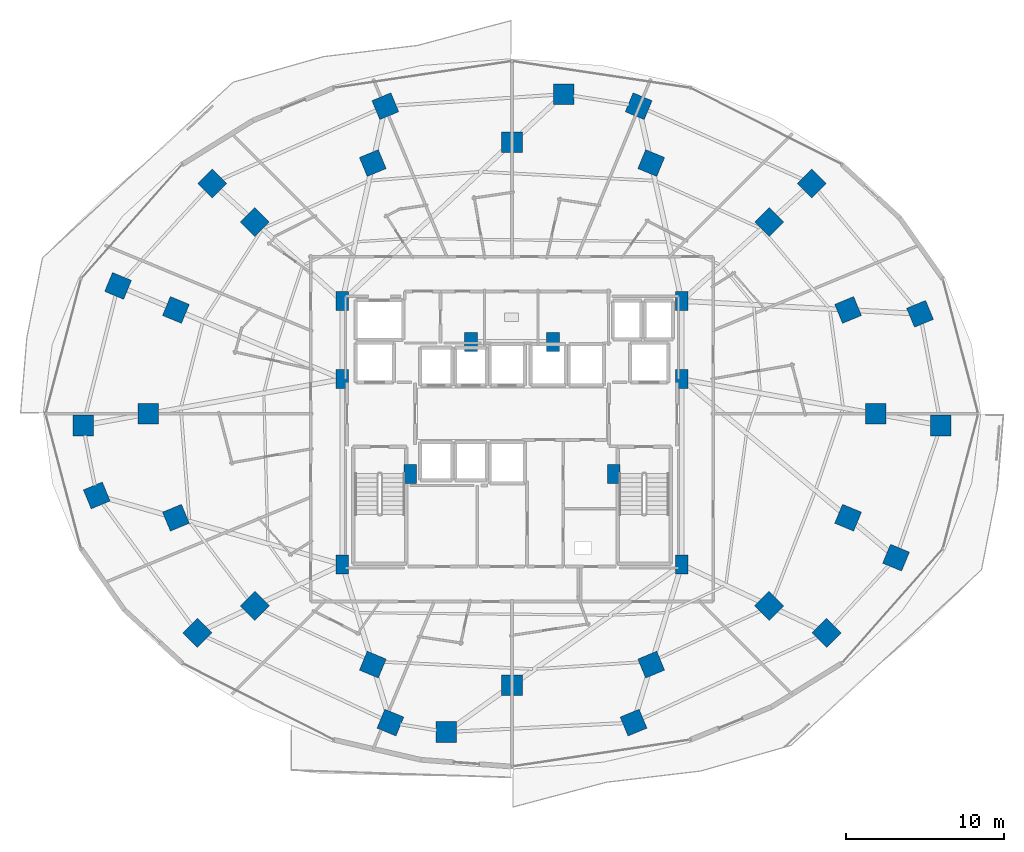
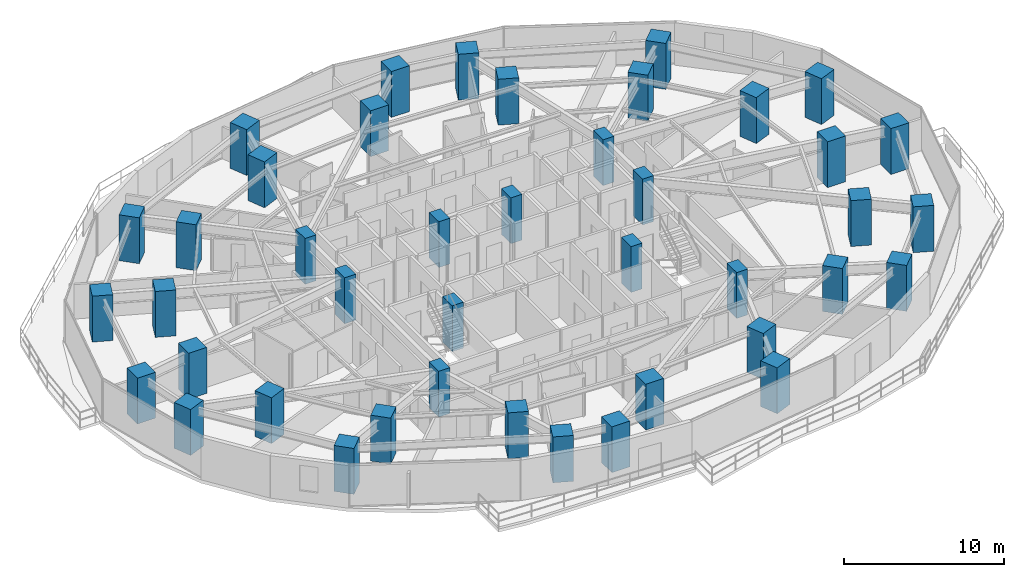
# One storey, part 1 of 36: 42 columns.
"""IFC4 building model written with IfcOpenShell, lengths in metres."""

from ifc_helpers import new_model, si_unit, direction, frame, origin, origin_2d, place, context, subcontext, project, spatial, rectangle, extrude, material, material_profile, profile_set, type_object, element, save


model = new_model("IFC4")

# Units and contexts
model_context = context("Model", 3, precision=1e-05, world=origin(), true_north=direction((0.0, 1.0)))
body_context = subcontext(model_context, "Body", "Model", "MODEL_VIEW")
ifc_project = project(units=[si_unit("LENGTHUNIT", "METRE"), si_unit("AREAUNIT", "SQUARE_METRE"), si_unit("VOLUMEUNIT", "CUBIC_METRE"), si_unit("PLANEANGLEUNIT", "RADIAN"), si_unit("MASSUNIT", "GRAM", prefix="KILO")], contexts=[model_context])

# Site, building, storey
site_placement = place(None, origin())
site = spatial("IfcSite", under=ifc_project, at=site_placement, CompositionType="ELEMENT")
building_placement = place(site_placement, origin())
building = spatial("IfcBuilding", under=site, at=building_placement, Name="Vorneva Point Tower", CompositionType="ELEMENT")
storey_placement = place(building_placement, frame((0.0, 0.0, 24.0)))
storey = spatial("IfcBuildingStorey", under=building, at=storey_placement, Name="L05", CompositionType="ELEMENT", Elevation=24.0)

# Columns
ifc_material = material(Name="Concrete B60 (C50/60)", Category="concrete")
ifc_material_profile_1 = material_profile(ifc_material, rectangle(XDim=1.300048828125, YDim=1.300048828125, at=origin_2d()), Name="RC-COL 1300x1300")
ifc_profile_set_1 = profile_set([ifc_material_profile_1], Name="Concrete B60 (C50/60)")
column_type_1 = type_object("IfcColumnType", Name="COL-RC1300", PredefinedType="COLUMN", material=ifc_profile_set_1)
for number, where, z_axis, x_axis, name in (
    (1, (61.050048828125, 26.0, 0.0), (0.0, 0.0, 1.0), (1.0, 0.0, 0.0), "L05 Perimeter Column P01"),
    (2, (59.29541015625, 32.582275390625, 0.0), (0.0, 0.0, 1.0), (0.923879532511, 0.382683432365, 0.0), "L05 Perimeter Column P02"),
    (3, (54.298828125, 38.162109375, 0.0), (0.0, 0.0, 1.0), (0.707106781187, 0.707106781187, 0.0), "L05 Perimeter Column P03"),
    (4, (46.82080078125, 41.890625, 0.0), (0.0, 0.0, 1.0), (0.382683432365, 0.923879532511, 0.0), "L05 Perimeter Column P04"),
    (5, (38.0, 43.199951171875, 0.0), (0.0, 0.0, 1.0), (0.0, 1.0, 0.0), "L05 Perimeter Column P05"),
    (6, (29.17919921875, 41.890625, 0.0), (0.0, 0.0, 1.0), (-0.382683432365, 0.923879532511, 0.0), "L05 Perimeter Column P06"),
    (7, (21.701171875, 38.162109375, 0.0), (0.0, 0.0, 1.0), (-0.707106781187, 0.707106781187, 0.0), "L05 Perimeter Column P07"),
    (8, (16.70458984375, 32.582275390625, 0.0), (0.0, 0.0, 1.0), (-0.923879532511, 0.382683432365, 0.0), "L05 Perimeter Column P08"),
    (9, (14.949951171875, 26.0, 0.0), (0.0, 0.0, 1.0), (-1.0, 0.0, 0.0), "L05 Perimeter Column P09"),
    (10, (16.70458984375, 19.417724609375, 0.0), (0.0, 0.0, 1.0), (-0.923879532511, -0.382683432365, 0.0), "L05 Perimeter Column P10"),
    (11, (21.701171875, 13.837890625, 0.0), (0.0, 0.0, 1.0), (-0.707106781187, -0.707106781187, 0.0), "L05 Perimeter Column P11"),
    (12, (29.17919921875, 10.109375, 0.0), (0.0, 0.0, 1.0), (-0.382683432365, -0.923879532511, 0.0), "L05 Perimeter Column P12"),
    (13, (38.0, 8.800048828125, 0.0), (0.0, 0.0, 1.0), (0.0, -1.0, 0.0), "L05 Perimeter Column P13"),
    (14, (46.82080078125, 10.109375, 0.0), (0.0, 0.0, 1.0), (0.382683432365, -0.923879532511, 0.0), "L05 Perimeter Column P14"),
    (15, (54.298828125, 13.837890625, 0.0), (0.0, 0.0, 1.0), (0.707106781187, -0.707106781187, 0.0), "L05 Perimeter Column P15"),
    (16, (59.29541015625, 19.417724609375, 0.0), (0.0, 0.0, 1.0), (0.923879532511, -0.382683432365, 0.0), "L05 Perimeter Column P16"),
    (17, (65.18212890625, 25.260986328125, 0.0), (0.0, 0.0, 1.0), (1.0, 0.0, 0.0), "L05 Outer Zone Column OP01"),
    (18, (63.8544921875, 32.336669921875, 0.0), (0.0, 0.0, 1.0), (0.923879532511, 0.382683432365, 0.0), "L05 Outer Zone Column OP02"),
    (19, (56.997314453125, 40.599853515625, 0.0), (0.0, 0.0, 1.0), (0.707106781187, 0.707106781187, 0.0), "L05 Outer Zone Column OP03"),
    (20, (46.026123046875, 45.49169921875, 0.0), (0.0, 0.0, 1.0), (0.382683432365, 0.923879532511, 0.0), "L05 Outer Zone Column OP04"),
    (21, (41.26513671875, 46.25244140625, 0.0), (0.0, 0.0, 1.0), (0.0, 1.0, 0.0), "L05 Outer Zone Column OP05"),
    (22, (29.973876953125, 45.49169921875, 0.0), (0.0, 0.0, 1.0), (-0.382683432365, 0.923879532511, 0.0), "L05 Outer Zone Column OP06"),
    (23, (19.002685546875, 40.599853515625, 0.0), (0.0, 0.0, 1.0), (-0.707106781187, 0.707106781187, 0.0), "L05 Outer Zone Column OP07"),
    (24, (13.0390625, 34.10546875, 0.0), (0.0, 0.0, 1.0), (-0.923879532511, 0.382683432365, 0.0), "L05 Outer Zone Column OP08"),
    (25, (10.81787109375, 25.260986328125, 0.0), (0.0, 0.0, 1.0), (-1.0, 0.0, 0.0), "L05 Outer Zone Column OP09"),
    (26, (11.68798828125, 20.82958984375, 0.0), (0.0, 0.0, 1.0), (-0.923879532511, -0.382683432365, 0.0), "L05 Outer Zone Column OP10"),
    (27, (18.061279296875, 12.124267578125, 0.0), (0.0, 0.0, 1.0), (-0.707106781187, -0.707106781187, 0.0), "L05 Outer Zone Column OP11"),
    (28, (30.296875, 6.435302734375, 0.0), (0.0, 0.0, 1.0), (-0.382683432365, -0.923879532511, 0.0), "L05 Outer Zone Column OP12"),
    (29, (33.84033203125, 5.83984375, 0.0), (0.0, 0.0, 1.0), (0.0, -1.0, 0.0), "L05 Outer Zone Column OP13"),
    (30, (45.703125, 6.435302734375, 0.0), (0.0, 0.0, 1.0), (0.382683432365, -0.923879532511, 0.0), "L05 Outer Zone Column OP14"),
    (31, (57.938720703125, 12.124267578125, 0.0), (0.0, 0.0, 1.0), (0.707106781187, -0.707106781187, 0.0), "L05 Outer Zone Column OP15"),
    (32, (62.3349609375, 16.886474609375, 0.0), (0.0, 0.0, 1.0), (0.923879532511, -0.382683432365, 0.0), "L05 Outer Zone Column OP16"),
):
    element("IfcColumn", number, at=place(storey_placement, frame(where, z_axis=z_axis, x_axis=x_axis)), inside=storey, type_object=column_type_1, Name=name, PredefinedType="COLUMN", context=body_context, shape_type="SweptSolid", body=[
        extrude(rectangle(XDim=1.300048828125, YDim=1.300048828125, at=origin_2d()), origin(), (0.0, 0.0, 1.0), 3.5),
    ])
ifc_material_profile_2 = material_profile(ifc_material, rectangle(XDim=0.800048828125, YDim=1.199951171875, at=origin_2d()), Name="RC-PIL 1200x800")
ifc_profile_set_2 = profile_set([ifc_material_profile_2], Name="Concrete B60 (C50/60)")
column_type_2 = type_object("IfcColumnType", Name="PIL-RC1200x800", PredefinedType="PILASTER", material=ifc_profile_set_2)
for number, where, z_axis, x_axis, name in (
    (33, (27.25, 16.449951171875, 0.0), (0.0, 0.0, 1.0), (1.0, 0.0, 0.0), "L05 Core Pilaster CP1"),
    (34, (27.25, 28.199951171875, 0.0), (0.0, 0.0, 1.0), (1.0, 0.0, 0.0), "L05 Core Pilaster CP2"),
    (35, (27.25, 33.14990234375, 0.0), (0.0, 0.0, 1.0), (1.0, 0.0, 0.0), "L05 Core Pilaster CP3"),
    (36, (31.550048828125, 22.199951171875, 0.0), (0.0, 0.0, 1.0), (1.0, 0.0, 0.0), "L05 Core Pilaster CP4"),
    (37, (48.75, 33.14990234375, 0.0), (0.0, 0.0, 1.0), (1.0, 0.0, 0.0), "L05 Core Pilaster CP5"),
    (38, (48.75, 28.199951171875, 0.0), (0.0, 0.0, 1.0), (1.0, 0.0, 0.0), "L05 Core Pilaster CP6"),
    (39, (48.75, 16.449951171875, 0.0), (0.0, 0.0, 1.0), (1.0, 0.0, 0.0), "L05 Core Pilaster CP7"),
    (40, (44.449951171875, 22.199951171875, 0.0), (0.0, 0.0, 1.0), (1.0, 0.0, 0.0), "L05 Core Pilaster CP8"),
    (41, (35.39990234375, 30.550048828125, 0.0), (0.0, 0.0, 1.0), (1.0, 0.0, 0.0), "L05 Core Pilaster CP9"),
    (42, (40.60009765625, 30.550048828125, 0.0), (0.0, 0.0, 1.0), (1.0, 0.0, 0.0), "L05 Core Pilaster CP10"),
):
    element("IfcColumn", number, at=place(storey_placement, frame(where, z_axis=z_axis, x_axis=x_axis)), inside=storey, type_object=column_type_2, Name=name, PredefinedType="PILASTER", context=body_context, shape_type="SweptSolid", body=[
        extrude(rectangle(XDim=0.800048828125, YDim=1.199951171875, at=origin_2d()), origin(), (0.0, 0.0, 1.0), 3.5),
    ])

save(model, "model.ifc")
